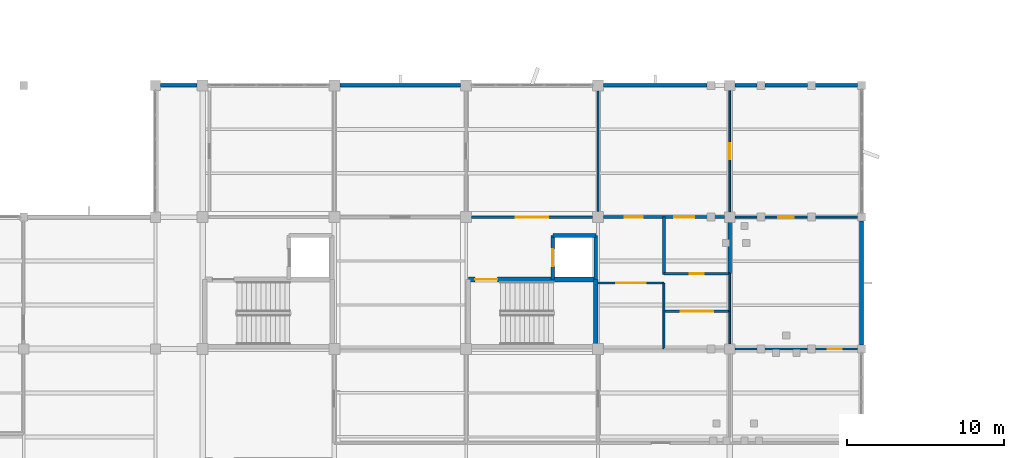
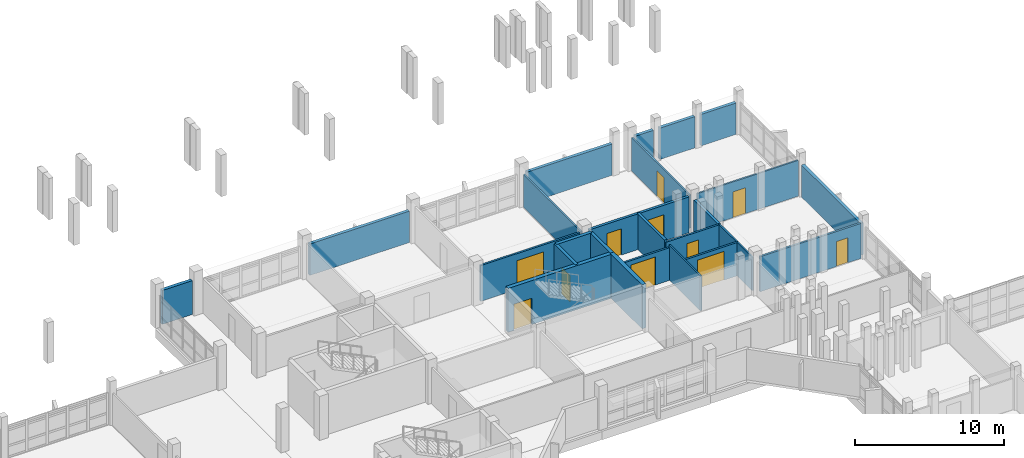
# One storey, part 71 of 104: 27 walls, 11 doors, 11 openings.
"""IFC4 building model written with IfcOpenShell, lengths in metres."""

from ifc_helpers import new_model, si_unit, direction, frame, frame_2d, origin, place, context, subcontext, project, spatial, rectangle, extrude, material, layer, layer_set, type_object, element, fill, save


model = new_model("IFC4")

# Units and contexts
model_context = context("Model", 3, precision=1e-05, world=origin(), true_north=direction((0.0, 1.0)))
body_context = subcontext(model_context, "Body", "Model", "MODEL_VIEW")
ifc_project = project(units=[si_unit("LENGTHUNIT", "METRE"), si_unit("AREAUNIT", "SQUARE_METRE"), si_unit("VOLUMEUNIT", "CUBIC_METRE"), si_unit("PLANEANGLEUNIT", "RADIAN"), si_unit("MASSUNIT", "GRAM", prefix="KILO")], contexts=[model_context])

# Site, building, storey
site_placement = place(None, origin())
site = spatial("IfcSite", under=ifc_project, at=site_placement, CompositionType="ELEMENT")
building_placement = place(site_placement, origin())
building = spatial("IfcBuilding", under=site, at=building_placement, Name="Vanh Quang Courtyard School", CompositionType="ELEMENT")
storey_placement = place(building_placement, frame((0.0, 0.0, 4.199951171875)))
storey = spatial("IfcBuildingStorey", under=building, at=storey_placement, Name="L01", CompositionType="ELEMENT", Elevation=4.199951171875)

# Wall, opening, door
ifc_material_1 = material(Name="Concrete C30/37", Category="concrete")
ifc_layer_1 = layer(ifc_material_1, 0.199951171875)
ifc_layer_set_1 = layer_set([ifc_layer_1], Name="Concrete C30/37")
wall_type_1 = type_object("IfcWallType", Name="W-COMP-200", PredefinedType="PARTITIONING", material=ifc_layer_set_1)
wall_1_placement = place(storey_placement, frame((102.947998046875, 88.199951171875, 0.0), z_axis=(0.0, 0.0, 1.0), x_axis=(1.0, 0.0, 0.0)))
wall_1 = element("IfcWall", 1, at=wall_1_placement, inside=storey, type_object=wall_type_1, Name="Wall W-COMP1 (L01)", PredefinedType="PARTITIONING", context=body_context, shape_type="SweptSolid", body=[
    extrude(rectangle(XDim=3.85205078125, YDim=0.199951171875, at=frame_2d((1.926025390625, 0.0))), origin(), (0.0, 0.0, 1.0), 2.929931640625),
])
opening_1_placement = place(wall_1_placement, frame((1.35107421875, 0.0, 0.0)))
opening_1 = element("IfcOpeningElement", 2, at=opening_1_placement, cuts=wall_1, Name="Opening L01-D051", PredefinedType="OPENING", context=body_context, shape_type="SweptSolid", body=[
    extrude(rectangle(XDim=1.14990234375, YDim=2.14990234375, at=frame_2d((0.574951171875, 1.074951171875))), frame((0.0, 0.10986328125, 0.0), z_axis=(0.0, -1.0, 0.0), x_axis=(1.0, 0.0, 0.0)), (0.0, 0.0, 1.0), 0.219970703125),
])
ifc_material_2 = material(Name="Painted galvanised steel fire door", Category="steel")
door_type_1 = type_object("IfcDoorType", Name="IDR-LAB-1150x2150", OperationType="NOTDEFINED", PredefinedType="DOOR", material=ifc_material_2)
door_1_placement = place(opening_1_placement, origin())
door_1 = element("IfcDoor", 3, at=door_1_placement, inside=storey, type_object=door_type_1, Name="Door L01-D051 (L01)", OperationType="SINGLE_SWING_RIGHT", OverallHeight=2.14990234375, OverallWidth=1.14990234375, PredefinedType="DOOR", context=body_context, shape_type="SweptSolid", body=[
    extrude(rectangle(XDim=1.14990234375, YDim=2.14990234375, at=frame_2d((0.574951171875, 1.074951171875))), frame((0.0, 0.02490234375, 0.0), z_axis=(0.0, -1.0, 0.0), x_axis=(1.0, 0.0, 0.0)), (0.0, 0.0, 1.0), 0.050048828125),
])
fill(opening_1, door_1)

# Wall
wall_2_placement = place(storey_placement, frame((106.800048828125, 88.199951171875, 0.0), z_axis=(0.0, 0.0, 1.0), x_axis=(0.0, -1.0, 0.0)))
element("IfcWall", 4, at=wall_2_placement, inside=storey, type_object=wall_type_1, Name="Wall W-COMP1 (L01)", PredefinedType="PARTITIONING", context=body_context, shape_type="SweptSolid", body=[
    extrude(rectangle(XDim=3.646240234375, YDim=0.199951171875, at=frame_2d((1.8232421875, 0.0))), origin(), (0.0, 0.0, 1.0), 2.929931640625),
])

# Wall, opening, door
wall_3_placement = place(storey_placement, frame((106.820068359375, 88.199951171875, 0.0), z_axis=(0.0, 0.0, 1.0), x_axis=(1.0, 0.0, 0.0)))
wall_3 = element("IfcWall", 5, at=wall_3_placement, inside=storey, type_object=wall_type_1, Name="Wall W-COMP1 (L01)", PredefinedType="PARTITIONING", context=body_context, shape_type="SweptSolid", body=[
    extrude(rectangle(XDim=3.85693359375, YDim=0.199951171875, at=frame_2d((1.928466796875, 0.0))), origin(), (0.0, 0.0, 1.0), 2.929931640625),
])
opening_2_placement = place(wall_3_placement, frame((0.653564453125, 0.0, 0.0)))
opening_2 = element("IfcOpeningElement", 6, at=opening_2_placement, cuts=wall_3, Name="Opening L01-D052", PredefinedType="OPENING", context=body_context, shape_type="SweptSolid", body=[
    extrude(rectangle(XDim=1.25, YDim=2.14990234375, at=frame_2d((0.625, 1.074951171875))), frame((0.0, 0.10986328125, 0.0), z_axis=(0.0, -1.0, 0.0), x_axis=(1.0, 0.0, 0.0)), (0.0, 0.0, 1.0), 0.219970703125),
])
door_type_2 = type_object("IfcDoorType", Name="IDR-LAB-1250x2150", OperationType="NOTDEFINED", PredefinedType="DOOR", material=ifc_material_2)
door_2_placement = place(opening_2_placement, origin())
door_2 = element("IfcDoor", 7, at=door_2_placement, inside=storey, type_object=door_type_2, Name="Door L01-D052 (L01)", OperationType="SINGLE_SWING_LEFT", OverallHeight=2.14990234375, OverallWidth=1.25, PredefinedType="DOOR", context=body_context, shape_type="SweptSolid", body=[
    extrude(rectangle(XDim=1.25, YDim=2.14990234375, at=frame_2d((0.625, 1.074951171875))), frame((0.0, 0.02490234375, 0.0), z_axis=(0.0, -1.0, 0.0), x_axis=(1.0, 0.0, 0.0)), (0.0, 0.0, 1.0), 0.050048828125),
])
fill(opening_2, door_2)

# Walls
wall_4_placement = place(storey_placement, frame((111.0, 87.876953125, 0.0), z_axis=(0.0, 0.0, 1.0), x_axis=(0.0, -1.0, 0.0)))
element("IfcWall", 8, at=wall_4_placement, inside=storey, type_object=wall_type_1, Name="Wall W-COMP1 (L01)", PredefinedType="PARTITIONING", context=body_context, shape_type="SweptSolid", body=[
    extrude(rectangle(XDim=3.2568359375, YDim=0.199951171875, at=frame_2d((1.62841796875, 0.0))), origin(), (0.0, 0.0, 1.0), 2.719970703125),
])
ifc_material_3 = material(Name="Concrete C35/45", Category="concrete")
ifc_layer_2 = layer(ifc_material_3, 0.300048828125)
ifc_layer_set_2 = layer_set([ifc_layer_2], Name="Concrete C35/45")
wall_type_2 = type_object("IfcWallType", Name="W-CORE-300", PredefinedType="SHEAR", material=ifc_layer_set_2)
wall_5_placement = place(storey_placement, frame((102.4599609375, 79.93994140625, 0.0), z_axis=(0.0, 0.0, 1.0), x_axis=(0.0, 1.0, 0.0)))
element("IfcWall", 9, at=wall_5_placement, inside=storey, type_object=wall_type_2, Name="Wall W-CORE1 (L01)", PredefinedType="SHEAR", context=body_context, shape_type="SweptSolid", body=[
    extrude(rectangle(XDim=4.280029296875, YDim=0.300048828125, at=frame_2d((2.14013671875, 0.0))), origin(), (0.0, 0.0, 1.0), 3.60009765625),
])

# Wall, opening, door
wall_6_placement = place(storey_placement, frame((102.4599609375, 84.219970703125, 0.0), z_axis=(0.0, 0.0, 1.0), x_axis=(-1.0, 0.0, 0.0)))
wall_6 = element("IfcWall", 10, at=wall_6_placement, inside=storey, type_object=wall_type_2, Name="Wall W-CORE1 (L01)", PredefinedType="SHEAR", context=body_context, shape_type="SweptSolid", body=[
    extrude(rectangle(XDim=8.119873046875, YDim=0.300048828125, at=frame_2d((4.06005859375, 0.0))), origin(), (0.0, 0.0, 1.0), 3.60009765625),
])
opening_3_placement = place(wall_6_placement, frame((6.27001953125, 0.0, 0.0)))
opening_3 = element("IfcOpeningElement", 11, at=opening_3_placement, cuts=wall_6, Name="Opening L01-DS2", PredefinedType="OPENING", context=body_context, shape_type="SweptSolid", body=[
    extrude(rectangle(XDim=1.419921875, YDim=2.14990234375, at=frame_2d((0.7099609375, 1.074951171875))), frame((0.0, 0.16015625, 0.0), z_axis=(0.0, -1.0, 0.0), x_axis=(1.0, 0.0, 0.0)), (0.0, 0.0, 1.0), 0.320068359375),
])
door_type_3 = type_object("IfcDoorType", Name="IDR-ST-1420x2150", OperationType="NOTDEFINED", PredefinedType="DOOR", material=ifc_material_2)
door_3_placement = place(opening_3_placement, frame((1.419921875, 0.0, 0.0), z_axis=(0.0, 0.0, 1.0), x_axis=(-1.0, 0.0, 0.0)))
door_3 = element("IfcDoor", 12, at=door_3_placement, inside=storey, type_object=door_type_3, Name="Door L01-DS2 (L01)", OperationType="SINGLE_SWING_RIGHT", OverallHeight=2.14990234375, OverallWidth=1.419921875, PredefinedType="DOOR", context=body_context, shape_type="SweptSolid", body=[
    extrude(rectangle(XDim=1.419921875, YDim=2.14990234375, at=frame_2d((0.7099609375, 1.074951171875))), frame((0.0, 0.02490234375, 0.0), z_axis=(0.0, -1.0, 0.0), x_axis=(1.0, 0.0, 0.0)), (0.0, 0.0, 1.0), 0.050048828125),
])
fill(opening_3, door_3)

# Walls
ifc_material_4 = material(Name="Precast concrete C40/50", Category="concrete")
ifc_layer_3 = layer(ifc_material_4, 0.239990234375)
ifc_layer_set_3 = layer_set([ifc_layer_3], Name="Precast concrete C40/50")
wall_type_3 = type_object("IfcWallType", Name="W-EXT-240", PredefinedType="SOLIDWALL", material=ifc_layer_set_3)
wall_7_placement = place(storey_placement, frame((74.722900390625, 96.60009765625, 0.0), z_axis=(0.0, 0.0, 1.0), x_axis=(1.0, 0.0, 0.0)))
element("IfcWall", 13, at=wall_7_placement, inside=storey, type_object=wall_type_3, Name="Wall WE-03 (L01)", PredefinedType="SOLIDWALL", context=body_context, shape_type="SweptSolid", body=[
    extrude(rectangle(XDim=2.3291015625, YDim=0.239990234375, at=frame_2d((1.16455078125, 0.0))), origin(), (0.0, 0.0, 1.0), 2.77001953125),
])
wall_8_placement = place(storey_placement, frame((86.14794921875, 96.60009765625, 0.0), z_axis=(0.0, 0.0, 1.0), x_axis=(1.0, 0.0, 0.0)))
element("IfcWall", 14, at=wall_8_placement, inside=storey, type_object=wall_type_3, Name="Wall WE-03 (L01)", PredefinedType="SOLIDWALL", context=body_context, shape_type="SweptSolid", body=[
    extrude(rectangle(XDim=7.7041015625, YDim=0.239990234375, at=frame_2d((3.85205078125, 0.0))), origin(), (0.0, 0.0, 1.0), 2.570068359375),
])
wall_9_placement = place(storey_placement, frame((102.947998046875, 96.60009765625, 0.0), z_axis=(0.0, 0.0, 1.0), x_axis=(1.0, 0.0, 0.0)))
element("IfcWall", 15, at=wall_9_placement, inside=storey, type_object=wall_type_3, Name="Wall WE-03 (L01)", PredefinedType="SOLIDWALL", context=body_context, shape_type="SweptSolid", body=[
    extrude(rectangle(XDim=6.60400390625, YDim=0.239990234375, at=frame_2d((3.302001953125, 0.0))), origin(), (0.0, 0.0, 1.0), 2.570068359375),
])
wall_10_placement = place(storey_placement, frame((111.322998046875, 96.60009765625, 0.0), z_axis=(0.0, 0.0, 1.0), x_axis=(1.0, 0.0, 0.0)))
element("IfcWall", 16, at=wall_10_placement, inside=storey, type_object=wall_type_3, Name="Wall WE-03 (L01)", PredefinedType="SOLIDWALL", context=body_context, shape_type="SweptSolid", body=[
    extrude(rectangle(XDim=1.428955078125, YDim=0.239990234375, at=frame_2d((0.71435546875, 0.0))), origin(), (0.0, 0.0, 1.0), 2.570068359375),
])
wall_11_placement = place(storey_placement, frame((113.248046875, 96.60009765625, 0.0), z_axis=(0.0, 0.0, 1.0), x_axis=(1.0, 0.0, 0.0)))
element("IfcWall", 17, at=wall_11_placement, inside=storey, type_object=wall_type_3, Name="Wall WE-03 (L01)", PredefinedType="SOLIDWALL", context=body_context, shape_type="SweptSolid", body=[
    extrude(rectangle(XDim=2.703857421875, YDim=0.239990234375, at=frame_2d((1.35205078125, 0.0))), origin(), (0.0, 0.0, 1.0), 2.570068359375),
])
wall_12_placement = place(storey_placement, frame((116.447998046875, 96.60009765625, 0.0), z_axis=(0.0, 0.0, 1.0), x_axis=(1.0, 0.0, 0.0)))
element("IfcWall", 18, at=wall_12_placement, inside=storey, type_object=wall_type_3, Name="Wall WE-03 (L01)", PredefinedType="SOLIDWALL", context=body_context, shape_type="SweptSolid", body=[
    extrude(rectangle(XDim=2.7041015625, YDim=0.239990234375, at=frame_2d((1.35205078125, 0.0))), origin(), (0.0, 0.0, 1.0), 2.570068359375),
])
wall_13_placement = place(storey_placement, frame((119.39990234375, 87.951904296875, 0.0), z_axis=(0.0, 0.0, 1.0), x_axis=(0.0, -1.0, 0.0)))
element("IfcWall", 19, at=wall_13_placement, inside=storey, type_object=wall_type_3, Name="Wall WE-03 (L01)", PredefinedType="SOLIDWALL", context=body_context, shape_type="SweptSolid", body=[
    extrude(rectangle(XDim=7.90380859375, YDim=0.239990234375, at=frame_2d((3.951904296875, 0.0))), origin(), (0.0, 0.0, 1.0), 2.6201171875),
])
ifc_material_5 = material(Name="Acoustic gypsum stud partition", Category="gypsum")
ifc_layer_4 = layer(ifc_material_5, 0.1201171875)
ifc_layer_set_4 = layer_set([ifc_layer_4], Name="Acoustic gypsum stud partition")
wall_type_4 = type_object("IfcWallType", Name="W-PART-120", PredefinedType="PARTITIONING", material=ifc_layer_set_4)
wall_14_placement = place(storey_placement, frame((106.800048828125, 84.0, 0.0), z_axis=(0.0, 0.0, 1.0), x_axis=(0.0, -1.0, 0.0)))
element("IfcWall", 20, at=wall_14_placement, inside=storey, type_object=wall_type_4, Name="Wall W-PRT2 (L01)", PredefinedType="PARTITIONING", context=body_context, shape_type="SweptSolid", body=[
    extrude(rectangle(XDim=4.199951171875, YDim=0.1201171875, at=frame_2d((2.10009765625, 0.0))), origin(), (0.0, 0.0, 1.0), 2.8701171875),
])
wall_15_placement = place(storey_placement, frame((111.0, 82.199951171875, 0.0), z_axis=(0.0, 0.0, 1.0), x_axis=(0.0, -1.0, 0.0)))
element("IfcWall", 21, at=wall_15_placement, inside=storey, type_object=wall_type_4, Name="Wall W-PRT2 (L01)", PredefinedType="PARTITIONING", context=body_context, shape_type="SweptSolid", body=[
    extrude(rectangle(XDim=2.076904296875, YDim=0.1201171875, at=frame_2d((1.03857421875, 0.0))), origin(), (0.0, 0.0, 1.0), 2.719970703125),
])
wall_16_placement = place(storey_placement, frame((111.0, 84.60009765625, 0.0), z_axis=(0.0, 0.0, 1.0), x_axis=(0.0, -1.0, 0.0)))
element("IfcWall", 22, at=wall_16_placement, inside=storey, type_object=wall_type_4, Name="Wall W-PRT2 (L01)", PredefinedType="PARTITIONING", context=body_context, shape_type="SweptSolid", body=[
    extrude(rectangle(XDim=2.380126953125, YDim=0.1201171875, at=frame_2d((1.18994140625, 0.0))), origin(), (0.0, 0.0, 1.0), 2.719970703125),
])
wall_17_placement = place(storey_placement, frame((102.60009765625, 96.251953125, 0.0), z_axis=(0.0, 0.0, 1.0), x_axis=(0.0, -1.0, 0.0)))
element("IfcWall", 23, at=wall_17_placement, inside=storey, type_object=wall_type_4, Name="Wall W-PRT2 (L01)", PredefinedType="PARTITIONING", context=body_context, shape_type="SweptSolid", body=[
    extrude(rectangle(XDim=7.703857421875, YDim=0.1201171875, at=frame_2d((3.85205078125, 0.0))), origin(), (0.0, 0.0, 1.0), 2.670166015625),
])

# Wall, opening, door
wall_18_placement = place(storey_placement, frame((111.0, 96.277099609375, 0.0), z_axis=(0.0, 0.0, 1.0), x_axis=(0.0, -1.0, 0.0)))
wall_18 = element("IfcWall", 24, at=wall_18_placement, inside=storey, type_object=wall_type_4, Name="Wall W-PRT2 (L01)", PredefinedType="PARTITIONING", context=body_context, shape_type="SweptSolid", body=[
    extrude(rectangle(XDim=7.754150390625, YDim=0.1201171875, at=frame_2d((3.876953125, 0.0))), origin(), (0.0, 0.0, 1.0), 2.719970703125),
])
opening_4_placement = place(wall_18_placement, frame((3.376953125, 0.0, 0.0)))
opening_4 = element("IfcOpeningElement", 25, at=opening_4_placement, cuts=wall_18, Name="Opening L01-D082", PredefinedType="OPENING", context=body_context, shape_type="SweptSolid", body=[
    extrude(rectangle(XDim=1.0, YDim=2.10009765625, at=frame_2d((0.5, 1.050048828125))), frame((0.0, 0.070068359375, 0.0), z_axis=(0.0, -1.0, 0.0), x_axis=(1.0, 0.0, 0.0)), (0.0, 0.0, 1.0), 0.14013671875),
])
ifc_material_6 = material(Name="Solid-core hardwood acoustic door", Category="wood")
door_type_4 = type_object("IfcDoorType", Name="IDR-CLS-1000x2100", OperationType="NOTDEFINED", PredefinedType="DOOR", material=ifc_material_6)
door_4_placement = place(opening_4_placement, origin())
door_4 = element("IfcDoor", 26, at=door_4_placement, inside=storey, type_object=door_type_4, Name="Door L01-D082 (L01)", OperationType="SINGLE_SWING_LEFT", OverallHeight=2.10009765625, OverallWidth=1.0, PredefinedType="DOOR", context=body_context, shape_type="SweptSolid", body=[
    extrude(rectangle(XDim=1.0, YDim=2.10009765625, at=frame_2d((0.5, 1.050048828125))), frame((0.0, 0.02490234375, 0.0), z_axis=(0.0, -1.0, 0.0), x_axis=(1.0, 0.0, 0.0)), (0.0, 0.0, 1.0), 0.050048828125),
])
fill(opening_4, door_4)

wall_19_placement = place(storey_placement, frame((111.322998046875, 88.199951171875, 0.0), z_axis=(0.0, 0.0, 1.0), x_axis=(1.0, 0.0, 0.0)))
wall_19 = element("IfcWall", 27, at=wall_19_placement, inside=storey, type_object=wall_type_4, Name="Wall W-PRT2 (L01)", PredefinedType="PARTITIONING", context=body_context, shape_type="SweptSolid", body=[
    extrude(rectangle(XDim=7.8291015625, YDim=0.1201171875, at=frame_2d((3.91455078125, 0.0))), origin(), (0.0, 0.0, 1.0), 2.929931640625),
])
opening_5_placement = place(wall_19_placement, frame((2.7744140625, 0.0, 0.0)))
opening_5 = element("IfcOpeningElement", 28, at=opening_5_placement, cuts=wall_19, Name="Opening L01-D091", PredefinedType="OPENING", context=body_context, shape_type="SweptSolid", body=[
    extrude(rectangle(XDim=0.97998046875, YDim=2.1201171875, at=frame_2d((0.489990234375, 1.06005859375))), frame((0.0, 0.070068359375, 0.0), z_axis=(0.0, -1.0, 0.0), x_axis=(1.0, 0.0, 0.0)), (0.0, 0.0, 1.0), 0.14013671875),
])
door_type_5 = type_object("IfcDoorType", Name="IDR-CLS-1050x2100", OperationType="NOTDEFINED", PredefinedType="DOOR", material=ifc_material_6)
door_5_placement = place(opening_5_placement, origin())
door_5 = element("IfcDoor", 29, at=door_5_placement, inside=storey, type_object=door_type_5, Name="Door L01-D091 (L01)", OperationType="SINGLE_SWING_RIGHT", OverallHeight=2.1201171875, OverallWidth=0.97998046875, PredefinedType="DOOR", context=body_context, shape_type="SweptSolid", body=[
    extrude(rectangle(XDim=0.97998046875, YDim=2.1201171875, at=frame_2d((0.489990234375, 1.06005859375))), frame((0.0, 0.02490234375, 0.0), z_axis=(0.0, -1.0, 0.0), x_axis=(1.0, 0.0, 0.0)), (0.0, 0.0, 1.0), 0.050048828125),
])
fill(opening_5, door_5)

ifc_material_7 = material(Name="Autoclaved aerated masonry blockwork", Category="masonry")
ifc_layer_5 = layer(ifc_material_7, 0.14990234375)
ifc_layer_set_5 = layer_set([ifc_layer_5], Name="Autoclaved aerated masonry blockwork")
wall_type_5 = type_object("IfcWallType", Name="W-PART-150", PredefinedType="PARTITIONING", material=ifc_layer_set_5)
wall_20_placement = place(storey_placement, frame((102.60009765625, 84.0, 0.0), z_axis=(0.0, 0.0, 1.0), x_axis=(1.0, 0.0, 0.0)))
wall_20 = element("IfcWall", 30, at=wall_20_placement, inside=storey, type_object=wall_type_5, Name="Wall W-PRT1 (L01)", PredefinedType="PARTITIONING", context=body_context, shape_type="SweptSolid", body=[
    extrude(rectangle(XDim=4.199951171875, YDim=0.14990234375, at=frame_2d((2.10009765625, 0.0))), origin(), (0.0, 0.0, 1.0), 2.670166015625),
])
opening_6_placement = place(wall_20_placement, frame((1.14990234375, 0.0, 0.0)))
opening_6 = element("IfcOpeningElement", 31, at=opening_6_placement, cuts=wall_20, Name="Opening L01-D048", PredefinedType="OPENING", context=body_context, shape_type="SweptSolid", body=[
    extrude(rectangle(XDim=1.89990234375, YDim=2.300048828125, at=frame_2d((0.949951171875, 1.14990234375))), frame((0.0, 0.0849609375, 0.0), z_axis=(0.0, -1.0, 0.0), x_axis=(1.0, 0.0, 0.0)), (0.0, 0.0, 1.0), 0.169921875),
])
door_type_6 = type_object("IfcDoorType", Name="IDR-HAL-1900x2300", OperationType="NOTDEFINED", PredefinedType="DOOR", material=ifc_material_2)
door_6_placement = place(opening_6_placement, origin())
door_6 = element("IfcDoor", 32, at=door_6_placement, inside=storey, type_object=door_type_6, Name="Door L01-D048 (L01)", OperationType="DOUBLE_DOOR_SINGLE_SWING", OverallHeight=2.300048828125, OverallWidth=1.89990234375, PredefinedType="DOOR", context=body_context, shape_type="SweptSolid", body=[
    extrude(rectangle(XDim=1.89990234375, YDim=2.300048828125, at=frame_2d((0.949951171875, 1.14990234375))), frame((0.0, 0.02490234375, 0.0), z_axis=(0.0, -1.0, 0.0), x_axis=(1.0, 0.0, 0.0)), (0.0, 0.0, 1.0), 0.050048828125),
])
fill(opening_6, door_6)

wall_21_placement = place(storey_placement, frame((106.820068359375, 82.199951171875, 0.0), z_axis=(0.0, 0.0, 1.0), x_axis=(1.0, 0.0, 0.0)))
wall_21 = element("IfcWall", 33, at=wall_21_placement, inside=storey, type_object=wall_type_5, Name="Wall W-PRT1 (L01)", PredefinedType="PARTITIONING", context=body_context, shape_type="SweptSolid", body=[
    extrude(rectangle(XDim=4.179931640625, YDim=0.14990234375, at=frame_2d((2.08984375, 0.0))), origin(), (0.0, 0.0, 1.0), 2.719970703125),
])
opening_7_placement = place(wall_21_placement, frame((1.06494140625, 0.0, 0.0)))
opening_7 = element("IfcOpeningElement", 34, at=opening_7_placement, cuts=wall_21, Name="Opening L01-D049", PredefinedType="OPENING", context=body_context, shape_type="SweptSolid", body=[
    extrude(rectangle(XDim=2.050048828125, YDim=2.35009765625, at=frame_2d((1.02490234375, 1.175048828125))), frame((0.0, 0.0849609375, 0.0), z_axis=(0.0, -1.0, 0.0), x_axis=(1.0, 0.0, 0.0)), (0.0, 0.0, 1.0), 0.169921875),
])
door_type_7 = type_object("IfcDoorType", Name="IDR-HAL-2050x2350", OperationType="NOTDEFINED", PredefinedType="DOOR", material=ifc_material_2)
door_7_placement = place(opening_7_placement, origin())
door_7 = element("IfcDoor", 35, at=door_7_placement, inside=storey, type_object=door_type_7, Name="Door L01-D049 (L01)", OperationType="DOUBLE_DOOR_SINGLE_SWING", OverallHeight=2.35009765625, OverallWidth=2.050048828125, PredefinedType="DOOR", context=body_context, shape_type="SweptSolid", body=[
    extrude(rectangle(XDim=2.050048828125, YDim=2.35009765625, at=frame_2d((1.02490234375, 1.175048828125))), frame((0.0, 0.02490234375, 0.0), z_axis=(0.0, -1.0, 0.0), x_axis=(1.0, 0.0, 0.0)), (0.0, 0.0, 1.0), 0.050048828125),
])
fill(opening_7, door_7)

wall_22_placement = place(storey_placement, frame((106.800048828125, 84.60009765625, 0.0), z_axis=(0.0, 0.0, 1.0), x_axis=(1.0, 0.0, 0.0)))
wall_22 = element("IfcWall", 36, at=wall_22_placement, inside=storey, type_object=wall_type_5, Name="Wall W-PRT1 (L01)", PredefinedType="PARTITIONING", context=body_context, shape_type="SweptSolid", body=[
    extrude(rectangle(XDim=4.199951171875, YDim=0.14990234375, at=frame_2d((2.10009765625, 0.0))), origin(), (0.0, 0.0, 1.0), 2.719970703125),
])
opening_8_placement = place(wall_22_placement, frame((1.64990234375, 0.0, 0.0)))
opening_8 = element("IfcOpeningElement", 37, at=opening_8_placement, cuts=wall_22, Name="Opening L01-D050", PredefinedType="OPENING", context=body_context, shape_type="SweptSolid", body=[
    extrude(rectangle(XDim=0.89990234375, YDim=2.050048828125, at=frame_2d((0.449951171875, 1.02490234375))), frame((0.0, 0.0849609375, 0.0), z_axis=(0.0, -1.0, 0.0), x_axis=(1.0, 0.0, 0.0)), (0.0, 0.0, 1.0), 0.169921875),
])
door_type_8 = type_object("IfcDoorType", Name="IDR-RS-0900x2050", OperationType="NOTDEFINED", PredefinedType="DOOR", material=ifc_material_2)
door_8_placement = place(opening_8_placement, origin())
door_8 = element("IfcDoor", 38, at=door_8_placement, inside=storey, type_object=door_type_8, Name="Door L01-D050 (L01)", OperationType="SINGLE_SWING_LEFT", OverallHeight=2.050048828125, OverallWidth=0.89990234375, PredefinedType="DOOR", context=body_context, shape_type="SweptSolid", body=[
    extrude(rectangle(XDim=0.89990234375, YDim=2.050048828125, at=frame_2d((0.449951171875, 1.02490234375))), frame((0.0, 0.02490234375, 0.0), z_axis=(0.0, -1.0, 0.0), x_axis=(1.0, 0.0, 0.0)), (0.0, 0.0, 1.0), 0.050048828125),
])
fill(opening_8, door_8)

wall_23_placement = place(storey_placement, frame((102.251953125, 88.199951171875, 0.0), z_axis=(0.0, 0.0, 1.0), x_axis=(-1.0, 0.0, 0.0)))
wall_23 = element("IfcWall", 39, at=wall_23_placement, inside=storey, type_object=wall_type_5, Name="Wall W-PRT1 (L01)", PredefinedType="PARTITIONING", context=body_context, shape_type="SweptSolid", body=[
    extrude(rectangle(XDim=7.703857421875, YDim=0.14990234375, at=frame_2d((3.85205078125, 0.0))), origin(), (0.0, 0.0, 1.0), 2.929931640625),
])
opening_9_placement = place(wall_23_placement, frame((2.826904296875, 0.0, 0.0)))
opening_9 = element("IfcOpeningElement", 40, at=opening_9_placement, cuts=wall_23, Name="Opening L01-D079", PredefinedType="OPENING", context=body_context, shape_type="SweptSolid", body=[
    extrude(rectangle(XDim=2.050048828125, YDim=2.35009765625, at=frame_2d((1.02490234375, 1.175048828125))), frame((0.0, 0.0849609375, 0.0), z_axis=(0.0, -1.0, 0.0), x_axis=(1.0, 0.0, 0.0)), (0.0, 0.0, 1.0), 0.169921875),
])
door_9_placement = place(opening_9_placement, origin())
door_9 = element("IfcDoor", 41, at=door_9_placement, inside=storey, type_object=door_type_7, Name="Door L01-D079 (L01)", OperationType="DOUBLE_DOOR_SINGLE_SWING", OverallHeight=2.35009765625, OverallWidth=2.050048828125, PredefinedType="DOOR", context=body_context, shape_type="SweptSolid", body=[
    extrude(rectangle(XDim=2.050048828125, YDim=2.35009765625, at=frame_2d((1.02490234375, 1.175048828125))), frame((0.0, 0.02490234375, 0.0), z_axis=(0.0, -1.0, 0.0), x_axis=(1.0, 0.0, 0.0)), (0.0, 0.0, 1.0), 0.050048828125),
])
fill(opening_9, door_9)

wall_24_placement = place(storey_placement, frame((111.322998046875, 79.800048828125, 0.0), z_axis=(0.0, 0.0, 1.0), x_axis=(1.0, 0.0, 0.0)))
wall_24 = element("IfcWall", 42, at=wall_24_placement, inside=storey, type_object=wall_type_5, Name="Wall W-PRT1 (L01)", PredefinedType="PARTITIONING", context=body_context, shape_type="SweptSolid", body=[
    extrude(rectangle(XDim=7.8291015625, YDim=0.14990234375, at=frame_2d((3.91455078125, 0.0))), origin(), (0.0, 0.0, 1.0), 2.8701171875),
])
opening_10_placement = place(wall_24_placement, frame((5.91455078125, 0.0, 0.0)))
opening_10 = element("IfcOpeningElement", 43, at=opening_10_placement, cuts=wall_24, Name="Opening L01-D090", PredefinedType="OPENING", context=body_context, shape_type="SweptSolid", body=[
    extrude(rectangle(XDim=0.89990234375, YDim=2.050048828125, at=frame_2d((0.449951171875, 1.02490234375))), frame((0.0, 0.0849609375, 0.0), z_axis=(0.0, -1.0, 0.0), x_axis=(1.0, 0.0, 0.0)), (0.0, 0.0, 1.0), 0.169921875),
])
door_10_placement = place(opening_10_placement, origin())
door_10 = element("IfcDoor", 44, at=door_10_placement, inside=storey, type_object=door_type_8, Name="Door L01-D090 (L01)", OperationType="SINGLE_SWING_LEFT", OverallHeight=2.050048828125, OverallWidth=0.89990234375, PredefinedType="DOOR", context=body_context, shape_type="SweptSolid", body=[
    extrude(rectangle(XDim=0.89990234375, YDim=2.050048828125, at=frame_2d((0.449951171875, 1.02490234375))), frame((0.0, 0.02490234375, 0.0), z_axis=(0.0, -1.0, 0.0), x_axis=(1.0, 0.0, 0.0)), (0.0, 0.0, 1.0), 0.050048828125),
])
fill(opening_10, door_10)

ifc_layer_6 = layer(ifc_material_3, 0.25)
ifc_layer_set_6 = layer_set([ifc_layer_6], Name="Concrete C35/45")
wall_type_6 = type_object("IfcWallType", Name="W-SHFT-250", PredefinedType="SHEAR", material=ifc_layer_set_6)
wall_25_placement = place(storey_placement, frame((99.719970703125, 87.02001953125, 0.0), z_axis=(0.0, 0.0, 1.0), x_axis=(0.0, -1.0, 0.0)))
wall_25 = element("IfcWall", 45, at=wall_25_placement, inside=storey, type_object=wall_type_6, Name="Wall W-SHFT1 (L01)", PredefinedType="SHEAR", context=body_context, shape_type="SweptSolid", body=[
    extrude(rectangle(XDim=2.800048828125, YDim=0.25, at=frame_2d((1.39990234375, 0.0))), origin(), (0.0, 0.0, 1.0), 3.60009765625),
])
opening_11_placement = place(wall_25_placement, frame((0.85009765625, 0.0, 0.0)))
opening_11 = element("IfcOpeningElement", 46, at=opening_11_placement, cuts=wall_25, Name="Opening LD-02-L01", PredefinedType="OPENING", context=body_context, shape_type="SweptSolid", body=[
    extrude(rectangle(XDim=1.10009765625, YDim=2.14990234375, at=frame_2d((0.550048828125, 1.074951171875))), frame((0.0, 0.135009765625, 0.0), z_axis=(0.0, -1.0, 0.0), x_axis=(1.0, 0.0, 0.0)), (0.0, 0.0, 1.0), 0.27001953125),
])
door_type_9 = type_object("IfcDoorType", Name="IDR-LD-1100x2150", OperationType="NOTDEFINED", PredefinedType="DOOR", material=ifc_material_2)
door_11_placement = place(opening_11_placement, origin())
door_11 = element("IfcDoor", 47, at=door_11_placement, inside=storey, type_object=door_type_9, Name="Door LD-02-L01 (L01)", OperationType="DOUBLE_DOOR_SLIDING", OverallHeight=2.14990234375, OverallWidth=1.10009765625, PredefinedType="DOOR", context=body_context, shape_type="SweptSolid", body=[
    extrude(rectangle(XDim=1.10009765625, YDim=2.14990234375, at=frame_2d((0.550048828125, 1.074951171875))), frame((0.0, 0.02490234375, 0.0), z_axis=(0.0, -1.0, 0.0), x_axis=(1.0, 0.0, 0.0)), (0.0, 0.0, 1.0), 0.050048828125),
])
fill(opening_11, door_11)

# Walls
wall_26_placement = place(storey_placement, frame((102.4599609375, 87.02001953125, 0.0), z_axis=(0.0, 0.0, 1.0), x_axis=(-1.0, 0.0, 0.0)))
element("IfcWall", 48, at=wall_26_placement, inside=storey, type_object=wall_type_6, Name="Wall W-SHFT1 (L01)", PredefinedType="SHEAR", context=body_context, shape_type="SweptSolid", body=[
    extrude(rectangle(XDim=2.739990234375, YDim=0.25, at=frame_2d((1.3701171875, 0.0))), origin(), (0.0, 0.0, 1.0), 3.60009765625),
])
wall_27_placement = place(storey_placement, frame((102.4599609375, 84.219970703125, 0.0), z_axis=(0.0, 0.0, 1.0), x_axis=(0.0, 1.0, 0.0)))
element("IfcWall", 49, at=wall_27_placement, inside=storey, type_object=wall_type_6, Name="Wall W-SHFT1 (L01)", PredefinedType="SHEAR", context=body_context, shape_type="SweptSolid", body=[
    extrude(rectangle(XDim=2.800048828125, YDim=0.25, at=frame_2d((1.39990234375, 0.0))), origin(), (0.0, 0.0, 1.0), 3.60009765625),
])

save(model, "model.ifc")
